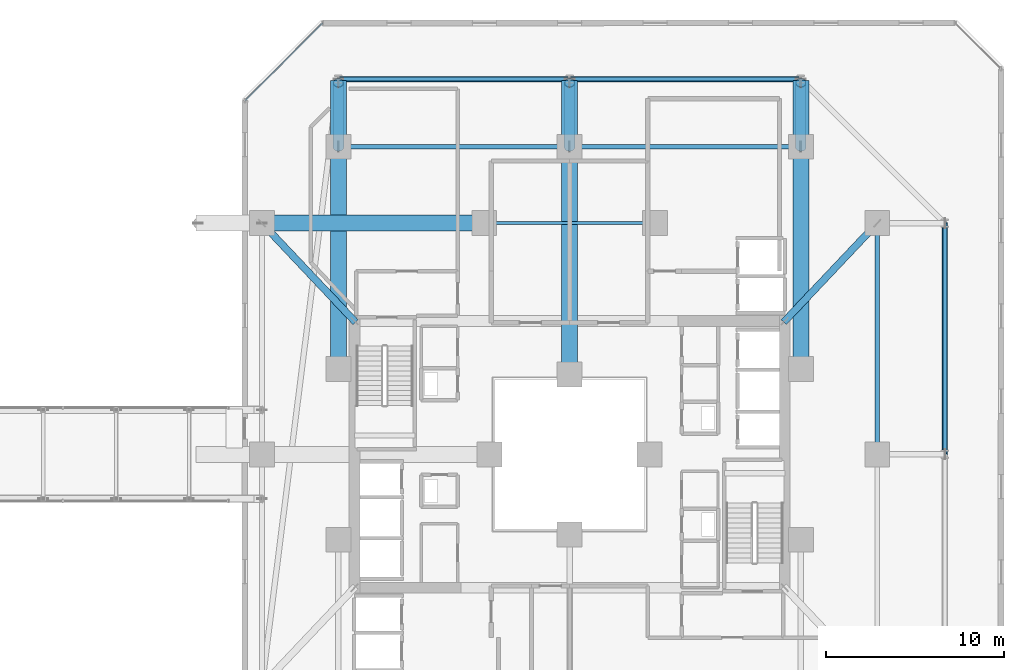
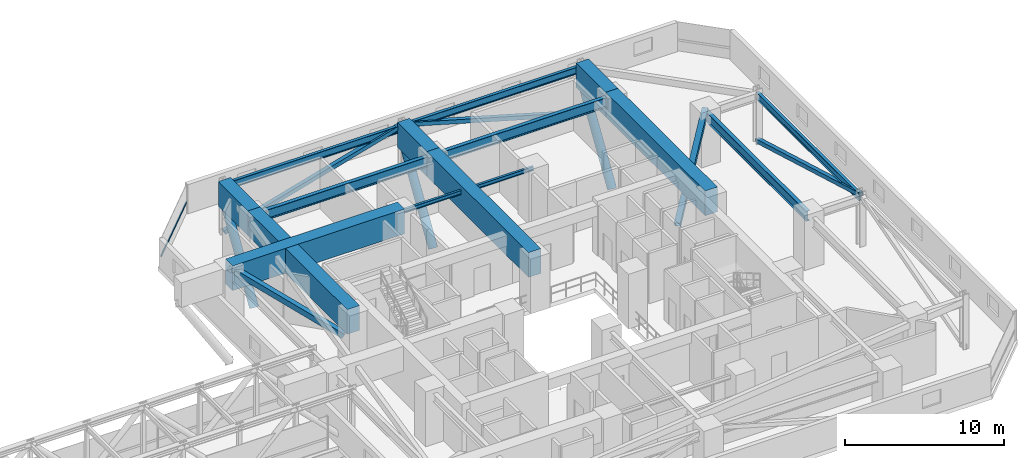
# One storey, part 20 of 38: 14 beams, 9 members, 1 element without a shape of its own.
"""IFC4 building model written with IfcOpenShell, lengths in metres."""

from ifc_helpers import new_model, si_unit, direction, frame, origin, origin_2d, place, context, subcontext, project, spatial, rectangle, hollow_rectangle, hollow_circle, i_section, extrude, material, material_profile, profile_set, type_object, element, aggregate, save


model = new_model("IFC4")

# Units and contexts
model_context = context("Model", 3, precision=1e-05, world=origin(), true_north=direction((0.0, 1.0)))
body_context = subcontext(model_context, "Body", "Model", "MODEL_VIEW")
ifc_project = project(units=[si_unit("LENGTHUNIT", "METRE"), si_unit("AREAUNIT", "SQUARE_METRE"), si_unit("VOLUMEUNIT", "CUBIC_METRE"), si_unit("PLANEANGLEUNIT", "RADIAN"), si_unit("MASSUNIT", "GRAM", prefix="KILO")], contexts=[model_context])

# Site, building, storey
site_placement = place(None, origin())
site = spatial("IfcSite", under=ifc_project, at=site_placement, CompositionType="ELEMENT")
building_placement = place(site_placement, origin())
building = spatial("IfcBuilding", under=site, at=building_placement, Name="Thornwick Lancets Civic Towers", CompositionType="ELEMENT")
storey_placement = place(building_placement, frame((0.0, 0.0, 71.699951171875)))
storey = spatial("IfcBuildingStorey", under=building, at=storey_placement, Name="L18", CompositionType="ELEMENT", Elevation=71.699951171875)

# Beams
ifc_material_1 = material(Name="Steel S355JR", Category="steel")
ifc_material_profile_1 = material_profile(ifc_material_1, i_section(OverallWidth=0.2119140625, OverallDepth=0.54443359375, WebThickness=0.0126953125, FlangeThickness=0.021240234375, FilletRadius=0.0126953125, at=origin_2d()), Name="UKB 533x210x122")
ifc_profile_set_1 = profile_set([ifc_material_profile_1], Name="Steel S355JR")
beam_type_1 = type_object("IfcBeamType", Name="BM_EDGE_533_122", PredefinedType="SPANDREL", material=ifc_profile_set_1)
beam_1_placement = place(storey_placement, frame((109.60009765625, 27.080078125, 3.607666015625), z_axis=(0.0, 1.0, 0.0), x_axis=(-1.0, 0.0, 0.0)))
element("IfcBeam", 1, at=beam_1_placement, inside=storey, type_object=beam_type_1, Name="BM-EDGE-L18-B-S0-2", PredefinedType="SPANDREL", context=body_context, shape_type="SweptSolid", body=[
    extrude(i_section(OverallWidth=0.2119140625, OverallDepth=0.54443359375, WebThickness=0.0126953125, FlangeThickness=0.021240234375, FilletRadius=0.0126953125, at=origin_2d()), origin(), (0.0, 0.0, 1.0), 12.919921875),
])
beam_2_placement = place(storey_placement, frame((101.5, 48.10009765625, 3.607666015625), z_axis=(-1.0, 0.0, 0.0), x_axis=(0.0, -1.0, 0.0)))
element("IfcBeam", 2, at=beam_2_placement, inside=storey, type_object=beam_type_1, Name="BM-EDGE-L18-B-S1-1", PredefinedType="SPANDREL", context=body_context, shape_type="SweptSolid", body=[
    extrude(i_section(OverallWidth=0.2119140625, OverallDepth=0.54443359375, WebThickness=0.0126953125, FlangeThickness=0.021240234375, FilletRadius=0.0126953125, at=origin_2d()), origin(), (0.0, 0.0, 1.0), 13.0),
])
beam_3_placement = place(storey_placement, frame((88.419921875, 48.10009765625, 3.607666015625), z_axis=(-1.0, 0.0, 0.0), x_axis=(0.0, -1.0, 0.0)))
element("IfcBeam", 3, at=beam_3_placement, inside=storey, type_object=beam_type_1, Name="BM-EDGE-L18-B-S1-2", PredefinedType="SPANDREL", context=body_context, shape_type="SweptSolid", body=[
    extrude(i_section(OverallWidth=0.2119140625, OverallDepth=0.54443359375, WebThickness=0.0126953125, FlangeThickness=0.021240234375, FilletRadius=0.0126953125, at=origin_2d()), origin(), (0.0, 0.0, 1.0), 12.919921875),
])
ifc_material_profile_2 = material_profile(ifc_material_1, i_section(OverallWidth=0.26806640625, OverallDepth=0.769775390625, WebThickness=0.015625, FlangeThickness=0.025390625, FilletRadius=0.0166015625, at=origin_2d()), Name="UKB 762x267x197")
ifc_profile_set_2 = profile_set([ifc_material_profile_2], Name="Steel S355JR")
beam_type_2 = type_object("IfcBeamType", Name="BM_GIRD_762_197", PredefinedType="BEAM", material=ifc_profile_set_2)
beam_4_placement = place(storey_placement, frame((105.800048828125, 27.080078125, 3.4951171875), z_axis=(0.0, 1.0, 0.0), x_axis=(-1.0, 0.0, 0.0)))
element("IfcBeam", 4, at=beam_4_placement, inside=storey, type_object=beam_type_2, Name="BM-SPINE-L18-B-1-2", PredefinedType="BEAM", context=body_context, shape_type="SweptSolid", body=[
    extrude(i_section(OverallWidth=0.26806640625, OverallDepth=0.769775390625, WebThickness=0.015625, FlangeThickness=0.025390625, FilletRadius=0.0166015625, at=origin_2d()), origin(), (0.0, 0.0, 1.0), 12.919921875),
])
beam_5_placement = place(storey_placement, frame((101.5, 44.300048828125, 3.4951171875), z_axis=(-1.0, 0.0, 0.0), x_axis=(0.0, -1.0, 0.0)))
element("IfcBeam", 5, at=beam_5_placement, inside=storey, type_object=beam_type_2, Name="BM-SPINE-L18-B-3-4", PredefinedType="BEAM", context=body_context, shape_type="SweptSolid", body=[
    extrude(i_section(OverallWidth=0.26806640625, OverallDepth=0.769775390625, WebThickness=0.015625, FlangeThickness=0.025390625, FilletRadius=0.0166015625, at=origin_2d()), origin(), (0.0, 0.0, 1.0), 13.0),
])
beam_6_placement = place(storey_placement, frame((88.419921875, 44.300048828125, 3.4951171875), z_axis=(-1.0, 0.0, 0.0), x_axis=(0.0, -1.0, 0.0)))
element("IfcBeam", 6, at=beam_6_placement, inside=storey, type_object=beam_type_2, Name="BM-SPINE-L18-B-4-5", PredefinedType="BEAM", context=body_context, shape_type="SweptSolid", body=[
    extrude(i_section(OverallWidth=0.26806640625, OverallDepth=0.769775390625, WebThickness=0.015625, FlangeThickness=0.025390625, FilletRadius=0.0166015625, at=origin_2d()), origin(), (0.0, 0.0, 1.0), 12.919921875),
])
ifc_material_profile_3 = material_profile(ifc_material_1, i_section(OverallWidth=0.1669921875, OverallDepth=0.310302734375, WebThickness=0.0078125, FlangeThickness=0.013671875, FilletRadius=0.0087890625, at=origin_2d()), Name="UKB 305x165x54")
ifc_profile_set_3 = profile_set([ifc_material_profile_3], Name="Steel S355JR")
beam_type_3 = type_object("IfcBeamType", Name="BM_LINTEL_305_54", PredefinedType="LINTEL", material=ifc_profile_set_3)
beam_7_placement = place(storey_placement, frame((93.300048828125, 40.0, 3.724853515625), z_axis=(-1.0, 0.0, 0.0), x_axis=(0.0, -1.0, 0.0)))
element("IfcBeam", 7, at=beam_7_placement, inside=storey, type_object=beam_type_3, Name="BM-INSP-L18-B-1-3", PredefinedType="LINTEL", context=body_context, shape_type="SweptSolid", body=[
    extrude(i_section(OverallWidth=0.1669921875, OverallDepth=0.310302734375, WebThickness=0.0078125, FlangeThickness=0.013671875, FilletRadius=0.0087890625, at=origin_2d()), origin(), (0.0, 0.0, 1.0), 9.52001953125),
])
ifc_material_2 = material(Name="Concrete C60/75", Category="concrete")
ifc_material_profile_4 = material_profile(ifc_material_2, rectangle(XDim=0.89990234375, YDim=1.89990234375, at=origin_2d()), Name="RC 900x1900")
ifc_profile_set_4 = profile_set([ifc_material_profile_4], Name="Concrete C60/75")
beam_type_4 = type_object("IfcBeamType", Name="BM_TR_RC1900", PredefinedType="BEAM", material=ifc_profile_set_4)
beam_8_placement = place(storey_placement, frame((101.5, 31.800048828125, 3.25), z_axis=(0.0, 1.0, 0.0), x_axis=(-1.0, 0.0, 0.0)))
element("IfcBeam", 8, at=beam_8_placement, inside=storey, type_object=beam_type_4, Name="TG-BACK-L19-B04", PredefinedType="BEAM", context=body_context, shape_type="SweptSolid", body=[
    extrude(rectangle(XDim=0.89990234375, YDim=1.89990234375, at=origin_2d()), origin(), (0.0, 0.0, 1.0), 12.5),
])
beam_9_placement = place(storey_placement, frame((101.5, 44.300048828125, 3.25), z_axis=(0.0, 1.0, 0.0), x_axis=(-1.0, 0.0, 0.0)))
element("IfcBeam", 9, at=beam_9_placement, inside=storey, type_object=beam_type_4, Name="TG-CANT-L19-B04", PredefinedType="BEAM", context=body_context, shape_type="SweptSolid", body=[
    extrude(rectangle(XDim=0.89990234375, YDim=1.89990234375, at=origin_2d()), origin(), (0.0, 0.0, 1.0), 3.719970703125),
])
beam_10_placement = place(storey_placement, frame((88.5, 31.5, 3.25), z_axis=(0.0, 1.0, 0.0), x_axis=(-1.0, 0.0, 0.0)))
element("IfcBeam", 10, at=beam_10_placement, inside=storey, type_object=beam_type_4, Name="TG-BACK-L19-B05", PredefinedType="BEAM", context=body_context, shape_type="SweptSolid", body=[
    extrude(rectangle(XDim=0.89990234375, YDim=1.89990234375, at=origin_2d()), origin(), (0.0, 0.0, 1.0), 12.800048828125),
])
beam_11_placement = place(storey_placement, frame((88.5, 44.300048828125, 3.25), z_axis=(0.0, 1.0, 0.0), x_axis=(-1.0, 0.0, 0.0)))
element("IfcBeam", 11, at=beam_11_placement, inside=storey, type_object=beam_type_4, Name="TG-CANT-L19-B05", PredefinedType="BEAM", context=body_context, shape_type="SweptSolid", body=[
    extrude(rectangle(XDim=0.89990234375, YDim=1.89990234375, at=origin_2d()), origin(), (0.0, 0.0, 1.0), 3.719970703125),
])
beam_12_placement = place(storey_placement, frame((75.5, 31.800048828125, 3.25), z_axis=(0.0, 1.0, 0.0), x_axis=(-1.0, 0.0, 0.0)))
element("IfcBeam", 12, at=beam_12_placement, inside=storey, type_object=beam_type_4, Name="TG-BACK-L19-B06", PredefinedType="BEAM", context=body_context, shape_type="SweptSolid", body=[
    extrude(rectangle(XDim=0.89990234375, YDim=1.89990234375, at=origin_2d()), origin(), (0.0, 0.0, 1.0), 12.5),
])
beam_13_placement = place(storey_placement, frame((75.5, 44.300048828125, 3.25), z_axis=(0.0, 1.0, 0.0), x_axis=(-1.0, 0.0, 0.0)))
element("IfcBeam", 13, at=beam_13_placement, inside=storey, type_object=beam_type_4, Name="TG-CANT-L19-B06", PredefinedType="BEAM", context=body_context, shape_type="SweptSolid", body=[
    extrude(rectangle(XDim=0.89990234375, YDim=1.89990234375, at=origin_2d()), origin(), (0.0, 0.0, 1.0), 3.719970703125),
])
beam_14_placement = place(storey_placement, frame((83.699951171875, 40.0, 3.25), z_axis=(-1.0, 0.0, 0.0), x_axis=(0.0, -1.0, 0.0)))
element("IfcBeam", 14, at=beam_14_placement, inside=storey, type_object=beam_type_4, Name="TG-BACK-L19-B09", PredefinedType="BEAM", context=body_context, shape_type="SweptSolid", body=[
    extrude(rectangle(XDim=0.89990234375, YDim=1.89990234375, at=origin_2d()), origin(), (0.0, 0.0, 1.0), 12.5),
])

# Curtain wall, member
ifc_material_3 = material(Name="Low-zone chamfered-corner unitised glass curtain wall", Category="glass")
curtain_wall_type = type_object("IfcCurtainWallType", Name="CW_SYS_03", PredefinedType="NOTDEFINED", material=ifc_material_3)
curtain_wall_placement = place(storey_placement, origin())
curtain_wall = element("IfcCurtainWall", 15, at=curtain_wall_placement, inside=storey, type_object=curtain_wall_type, Name="L18 Curtain Wall CW-L18-B-E5", PredefinedType="NOTDEFINED")
ifc_material_4 = material(Name="Thermally broken bronze aluminium S355", Category="steel")
ifc_material_profile_5 = material_profile(ifc_material_4, hollow_rectangle(XDim=0.074951171875, YDim=0.14990234375, WallThickness=0.0048828125, at=origin_2d()), Name="RHS 150x75x5")
ifc_profile_set_5 = profile_set([ifc_material_profile_5], Name="Thermally broken bronze aluminium S355")
member_type_1 = type_object("IfcMemberType", Name="CW_TRN_150", PredefinedType="USERDEFINED", material=ifc_profile_set_5)
member_placement = place(storey_placement, frame((74.597900390625, 51.2451171875, 0.85009765625), z_axis=(-0.707106781187, -0.707106781187, 0.0), x_axis=(0.707106781187, -0.707106781187, 0.0)))
member = element("IfcMember", 16, at=member_placement, type_object=member_type_1, Name="CW-L18-B-E5 Transom 0", ObjectType="TRANSOM", PredefinedType="USERDEFINED", context=body_context, shape_type="SweptSolid", body=[
    extrude(hollow_rectangle(XDim=0.074951171875, YDim=0.14990234375, WallThickness=0.0048828125, at=origin_2d()), origin(), (0.0, 0.0, 1.0), 6.141845703125),
])
aggregate(curtain_wall, [member])

# Members
ifc_material_5 = material(Name="Steel S460M", Category="steel")
ifc_material_profile_6 = material_profile(ifc_material_5, hollow_rectangle(XDim=0.300048828125, YDim=0.300048828125, WallThickness=0.01611328125, at=origin_2d()), Name="SHS 300x300x16")
ifc_profile_set_6 = profile_set([ifc_material_profile_6], Name="Steel S460M")
member_type_2 = type_object("IfcMemberType", Name="MEM_BELT_SHS300", PredefinedType="BRACE", material=ifc_profile_set_6)
for number, where, z_axis, x_axis, name in (
    (17, (109.60009765625, 40.0, 0.150146484375), (0.0, -0.961216810803, 0.27579384081), (1.0, 0.0, 0.0), "L18 Belt Truss Diagonal B-S0-2"),
    (18, (101.5, 48.10009765625, 0.150146484375), (-0.961216810803, 0.0, 0.27579384081), (0.0, -1.0, 0.0), "L18 Belt Truss Diagonal B-S1-1"),
    (19, (75.5, 48.10009765625, 0.150146484375), (0.961216810803, 0.0, 0.27579384081), (0.0, 1.0, 0.0), "L18 Belt Truss Diagonal B-S1-2"),
):
    element("IfcMember", number, at=place(storey_placement, frame(where, z_axis=z_axis, x_axis=x_axis)), inside=storey, type_object=member_type_2, Name=name, PredefinedType="BRACE", context=body_context, shape_type="SweptSolid", body=[
        extrude(hollow_rectangle(XDim=0.300048828125, YDim=0.300048828125, WallThickness=0.01611328125, at=origin_2d()), origin(), (0.0, 0.0, 1.0), 13.5244140625),
    ])
ifc_material_profile_7 = material_profile(ifc_material_5, hollow_rectangle(XDim=0.39990234375, YDim=0.39990234375, WallThickness=0.02001953125, at=origin_2d()), Name="SHS 400x400x20")
ifc_profile_set_7 = profile_set([ifc_material_profile_7], Name="Steel S460M")
member_type_3 = type_object("IfcMemberType", Name="MEM_OUTRIG_SHS400", PredefinedType="BRACE", material=ifc_profile_set_7)
for number, where, z_axis, x_axis, name in (
    (20, (100.60009765625, 34.5, 0.150146484375), (0.616243593678, 0.651802229136, 0.442038106212), (-0.726649874932, 0.687007976126, 0.0), "L18 Outrigger Brace B-2"),
    (21, (76.39990234375, 34.5, 0.150146484375), (-0.616243593678, 0.651802229136, 0.442038106212), (-0.726649874932, -0.687007976126, 0.0), "L18 Outrigger Brace B-4"),
):
    element("IfcMember", number, at=place(storey_placement, frame(where, z_axis=z_axis, x_axis=x_axis)), inside=storey, type_object=member_type_3, Name=name, PredefinedType="BRACE", context=body_context, shape_type="SweptSolid", body=[
        extrude(hollow_rectangle(XDim=0.39990234375, YDim=0.39990234375, WallThickness=0.02001953125, at=origin_2d()), origin(), (0.0, 0.0, 1.0), 8.438232421875),
    ])
ifc_material_profile_8 = material_profile(ifc_material_5, hollow_circle(Radius=0.304931640625, WallThickness=0.030029296875, at=origin_2d()), Name="CHS 610x30")
ifc_profile_set_8 = profile_set([ifc_material_profile_8], Name="Steel S460M")
member_type_4 = type_object("IfcMemberType", Name="MEM_STRUT_CHS610", PredefinedType="STRUT", material=ifc_profile_set_8)
for number, where, z_axis, x_axis, name in (
    (22, (101.5, 44.300048828125, -3.349853515625), (0.0, 0.531975728187, 0.846759602614), (-1.0, 0.0, 0.0), "L19 Jenga Transfer Raking Strut B04"),
    (23, (88.5, 44.300048828125, -3.349853515625), (0.0, 0.531975728187, 0.846759602614), (-1.0, 0.0, 0.0), "L19 Jenga Transfer Raking Strut B05"),
    (24, (75.5, 44.300048828125, -3.349853515625), (0.0, 0.531975728187, 0.846759602614), (-1.0, 0.0, 0.0), "L19 Jenga Transfer Raking Strut B06"),
):
    element("IfcMember", number, at=place(storey_placement, frame(where, z_axis=z_axis, x_axis=x_axis)), inside=storey, type_object=member_type_4, Name=name, PredefinedType="STRUT", context=body_context, shape_type="SweptSolid", body=[
        extrude(hollow_circle(Radius=0.304931640625, WallThickness=0.030029296875, at=origin_2d()), origin(), (0.0, 0.0, 1.0), 6.766845703125),
    ])

save(model, "model.ifc")
